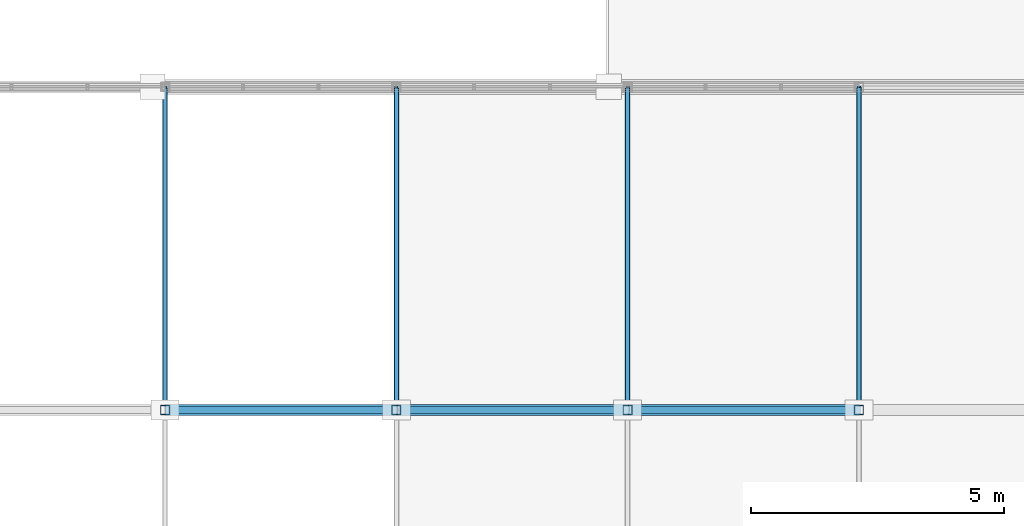
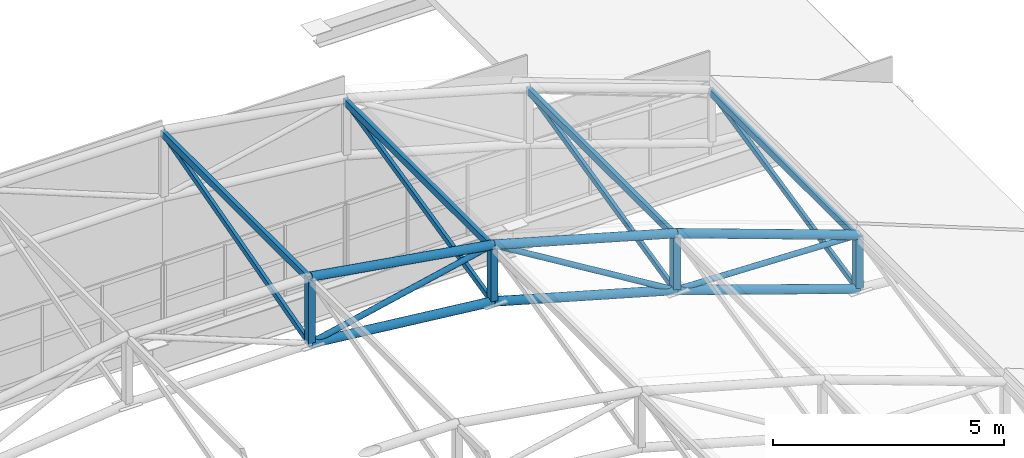
# One storey, part 56 of 101: 21 members.
"""IFC4 building model written with IfcOpenShell, lengths in metres."""

from ifc_helpers import new_model, si_unit, direction, frame, origin, origin_2d, place, context, subcontext, project, spatial, hollow_rectangle, hollow_circle, extrude, material, material_profile, profile_set, type_object, element, save


model = new_model("IFC4")

# Units and contexts
model_context = context("Model", 3, precision=1e-05, world=origin(), true_north=direction((0.0, 1.0)))
body_context = subcontext(model_context, "Body", "Model", "MODEL_VIEW")
ifc_project = project(units=[si_unit("LENGTHUNIT", "METRE"), si_unit("AREAUNIT", "SQUARE_METRE"), si_unit("VOLUMEUNIT", "CUBIC_METRE"), si_unit("PLANEANGLEUNIT", "RADIAN"), si_unit("MASSUNIT", "GRAM", prefix="KILO")], contexts=[model_context])

# Site, building, storey
site_placement = place(None, origin())
site = spatial("IfcSite", under=ifc_project, at=site_placement, CompositionType="ELEMENT")
building_placement = place(site_placement, origin())
building = spatial("IfcBuilding", under=site, at=building_placement, Name="Solvikara Media Centre", CompositionType="ELEMENT")
storey_placement = place(building_placement, frame((0.0, 0.0, 10.199951171875)))
storey = spatial("IfcBuildingStorey", under=building, at=storey_placement, Name="L02", CompositionType="ELEMENT", Elevation=10.199951171875)

# Members
ifc_material = material(Name="Steel S355JR", Category="steel")
ifc_material_profile_1 = material_profile(ifc_material, hollow_circle(Radius=0.109619140625, WallThickness=0.008056640625, at=origin_2d()), Name="CHS 219.1x8")
ifc_profile_set_1 = profile_set([ifc_material_profile_1], Name="Steel S355JR")
member_type_1 = type_object("IfcMemberType", Name="MB-05", PredefinedType="CHORD", material=ifc_profile_set_1)
member_1_placement = place(storey_placement, frame((145.75, 65.625, 5.41015625), z_axis=(0.986711742418, 0.0, -0.162480575373), x_axis=(0.0, 1.0, 0.0)))
element("IfcMember", 1, at=member_1_placement, inside=storey, type_object=member_type_1, Name="BSA-TC-03-04", PredefinedType="CHORD", context=body_context, shape_type="SweptSolid", body=[
    extrude(hollow_circle(Radius=0.109619140625, WallThickness=0.008056640625, at=origin_2d()), origin(), (0.0, 0.0, 1.0), 4.62353515625),
])
member_2_placement = place(storey_placement, frame((145.75, 65.625, 3.650146484375), z_axis=(0.994253057295, 0.0, -0.107055397157), x_axis=(0.0, 1.0, 0.0)))
element("IfcMember", 2, at=member_2_placement, inside=storey, type_object=member_type_1, Name="BSA-BC-03-04", PredefinedType="CHORD", context=body_context, shape_type="SweptSolid", body=[
    extrude(hollow_circle(Radius=0.109619140625, WallThickness=0.008056640625, at=origin_2d()), origin(), (0.0, 0.0, 1.0), 4.58837890625),
])
for number, where, z_axis, x_axis, name in (
    (3, (150.31201171875, 65.625, 4.658935546875), (0.962119975268, 0.0, -0.272626398556), (0.0, 1.0, 0.0), "BSA-TC-03-05"),
    (4, (150.31201171875, 65.625, 3.158935546875), (0.962119975268, 0.0, -0.272626398556), (0.0, 1.0, 0.0), "BSA-BC-03-05"),
):
    element("IfcMember", number, at=place(storey_placement, frame(where, z_axis=z_axis, x_axis=x_axis)), inside=storey, type_object=member_type_1, Name=name, PredefinedType="CHORD", context=body_context, shape_type="SweptSolid", body=[
        extrude(hollow_circle(Radius=0.109619140625, WallThickness=0.008056640625, at=origin_2d()), origin(), (0.0, 0.0, 1.0), 4.74267578125),
    ])
member_3_placement = place(storey_placement, frame((154.875, 65.625, 3.365966796875), z_axis=(0.940941951614, 0.0, -0.338567930691), x_axis=(0.0, 1.0, 0.0)))
element("IfcMember", 5, at=member_3_placement, inside=storey, type_object=member_type_1, Name="BSA-TC-03-06", PredefinedType="CHORD", context=body_context, shape_type="SweptSolid", body=[
    extrude(hollow_circle(Radius=0.109619140625, WallThickness=0.008056640625, at=origin_2d()), origin(), (0.0, 0.0, 1.0), 4.849365234375),
])
member_4_placement = place(storey_placement, frame((154.875, 65.625, 1.865966796875), z_axis=(0.94585275082, 0.0, -0.324596016252), x_axis=(0.0, 1.0, 0.0)))
element("IfcMember", 6, at=member_4_placement, inside=storey, type_object=member_type_1, Name="BSA-BC-03-06", PredefinedType="CHORD", context=body_context, shape_type="SweptSolid", body=[
    extrude(hollow_circle(Radius=0.109619140625, WallThickness=0.008056640625, at=origin_2d()), origin(), (0.0, 0.0, 1.0), 4.82421875),
])
ifc_material_profile_2 = material_profile(ifc_material, hollow_circle(Radius=0.06982421875, WallThickness=0.00634765625, at=origin_2d()), Name="CHS 139.7x6.3")
ifc_profile_set_2 = profile_set([ifc_material_profile_2], Name="Steel S355JR")
member_type_2 = type_object("IfcMemberType", Name="MB-08", PredefinedType="BRACE", material=ifc_profile_set_2)
member_5_placement = place(storey_placement, frame((145.75, 65.625, 3.650146484375), z_axis=(0.976412757167, 0.0, 0.215912314707), x_axis=(0.0, 1.0, 0.0)))
element("IfcMember", 7, at=member_5_placement, inside=storey, type_object=member_type_2, Name="BSA-DG-03-04", PredefinedType="BRACE", context=body_context, shape_type="SweptSolid", body=[
    extrude(hollow_circle(Radius=0.06982421875, WallThickness=0.00634765625, at=origin_2d()), origin(), (0.0, 0.0, 1.0), 4.672119140625),
])
member_6_placement = place(storey_placement, frame((150.31201171875, 65.625, 4.658935546875), z_axis=(0.852909361519, 0.0, -0.522059020641), x_axis=(0.0, 1.0, 0.0)))
element("IfcMember", 8, at=member_6_placement, inside=storey, type_object=member_type_2, Name="BSA-DG-03-05", PredefinedType="BRACE", context=body_context, shape_type="SweptSolid", body=[
    extrude(hollow_circle(Radius=0.06982421875, WallThickness=0.00634765625, at=origin_2d()), origin(), (0.0, 0.0, 1.0), 5.349853515625),
])
member_7_placement = place(storey_placement, frame((154.875, 65.625, 1.865966796875), z_axis=(0.999517175782, 0.0, -0.03107113318), x_axis=(0.0, 1.0, 0.0)))
element("IfcMember", 9, at=member_7_placement, inside=storey, type_object=member_type_2, Name="BSA-DG-03-06", PredefinedType="BRACE", context=body_context, shape_type="SweptSolid", body=[
    extrude(hollow_circle(Radius=0.06982421875, WallThickness=0.00634765625, at=origin_2d()), origin(), (0.0, 0.0, 1.0), 4.565185546875),
])
ifc_material_profile_3 = material_profile(ifc_material, hollow_rectangle(XDim=0.179931640625, YDim=0.179931640625, WallThickness=0.008056640625, at=origin_2d()), Name="RHS 180x180x8")
ifc_profile_set_3 = profile_set([ifc_material_profile_3], Name="Steel S355JR")
member_type_3 = type_object("IfcMemberType", Name="MB-14", PredefinedType="BRACE", material=ifc_profile_set_3)
member_8_placement = place(storey_placement, frame((145.75, 65.625, 3.650146484375), z_axis=(0.0, 0.0, 1.0), x_axis=(1.0, 0.0, 0.0)))
element("IfcMember", 10, at=member_8_placement, inside=storey, type_object=member_type_3, Name="BSA-VT-03-04", PredefinedType="BRACE", context=body_context, shape_type="SweptSolid", body=[
    extrude(hollow_rectangle(XDim=0.179931640625, YDim=0.179931640625, WallThickness=0.008056640625, at=origin_2d()), origin(), (0.0, 0.0, 1.0), 1.760009765625),
])
for number, where, z_axis, x_axis, name in (
    (11, (150.31201171875, 65.625, 3.158935546875), (0.0, 0.0, 1.0), (1.0, 0.0, 0.0), "BSA-VT-03-05"),
    (12, (154.875, 65.625, 1.865966796875), (0.0, 0.0, 1.0), (1.0, 0.0, 0.0), "BSA-VT-03-06"),
):
    element("IfcMember", number, at=place(storey_placement, frame(where, z_axis=z_axis, x_axis=x_axis)), inside=storey, type_object=member_type_3, Name=name, PredefinedType="BRACE", context=body_context, shape_type="SweptSolid", body=[
        extrude(hollow_rectangle(XDim=0.179931640625, YDim=0.179931640625, WallThickness=0.008056640625, at=origin_2d()), origin(), (0.0, 0.0, 1.0), 1.5),
    ])
member_9_placement = place(storey_placement, frame((159.43798828125, 65.625, 0.300048828125), z_axis=(0.0, 0.0, 1.0), x_axis=(1.0, 0.0, 0.0)))
element("IfcMember", 13, at=member_9_placement, inside=storey, type_object=member_type_3, Name="BSA-VT-03-07", PredefinedType="BRACE", context=body_context, shape_type="SweptSolid", body=[
    extrude(hollow_rectangle(XDim=0.179931640625, YDim=0.179931640625, WallThickness=0.008056640625, at=origin_2d()), origin(), (0.0, 0.0, 1.0), 1.424072265625),
])
ifc_material_profile_4 = material_profile(ifc_material, hollow_rectangle(XDim=0.10009765625, YDim=0.179931640625, WallThickness=0.0048828125, at=origin_2d()), Name="RHS 180x100x5")
ifc_profile_set_4 = profile_set([ifc_material_profile_4], Name="Steel S355JR")
member_type_4 = type_object("IfcMemberType", Name="MB-18", PredefinedType="PURLIN", material=ifc_profile_set_4)
for number, where, z_axis, x_axis, name in (
    (14, (145.75, 65.625, 5.344970703125), (0.0, 1.0, 0.0), (-1.0, 0.0, 0.0), "BSA-PRL-03-04"),
    (15, (150.31201171875, 65.625, 4.593994140625), (0.0, 1.0, 0.0), (-1.0, 0.0, 0.0), "BSA-PRL-03-05"),
    (16, (154.875, 65.625, 3.301025390625), (0.0, 1.0, 0.0), (-1.0, 0.0, 0.0), "BSA-PRL-03-06"),
    (17, (159.43798828125, 65.625, 1.658935546875), (0.0, 1.0, 0.0), (-1.0, 0.0, 0.0), "BSA-PRL-03-07"),
):
    element("IfcMember", number, at=place(storey_placement, frame(where, z_axis=z_axis, x_axis=x_axis)), inside=storey, type_object=member_type_4, Name=name, PredefinedType="PURLIN", context=body_context, shape_type="SweptSolid", body=[
        extrude(hollow_rectangle(XDim=0.10009765625, YDim=0.179931640625, WallThickness=0.0048828125, at=origin_2d()), origin(), (0.0, 0.0, 1.0), 6.375),
    ])
ifc_material_profile_5 = material_profile(ifc_material, hollow_rectangle(XDim=0.080078125, YDim=0.14990234375, WallThickness=0.0048828125, at=origin_2d()), Name="RHS 150x80x5")
ifc_profile_set_5 = profile_set([ifc_material_profile_5], Name="Steel S355JR")
member_type_5 = type_object("IfcMemberType", Name="MB-27", PredefinedType="PURLIN", material=ifc_profile_set_5)
member_10_placement = place(storey_placement, frame((145.75, 65.625, 3.650146484375), z_axis=(0.0, 0.965291636359, 0.261174380012), x_axis=(-1.0, 0.0, 0.0)))
element("IfcMember", 18, at=member_10_placement, inside=storey, type_object=member_type_5, Name="BSA-3D-03-04", PredefinedType="PURLIN", context=body_context, shape_type="SweptSolid", body=[
    extrude(hollow_rectangle(XDim=0.080078125, YDim=0.14990234375, WallThickness=0.0048828125, at=origin_2d()), origin(), (0.0, 0.0, 1.0), 6.604248046875),
])
for number, where, z_axis, x_axis, name in (
    (19, (150.31201171875, 65.625, 3.158935546875), (0.0, 0.9745939809, 0.223978955246), (-1.0, 0.0, 0.0), "BSA-3D-03-05"),
    (20, (154.875, 65.625, 1.865966796875), (0.0, 0.9745939809, 0.223978955246), (-1.0, 0.0, 0.0), "BSA-3D-03-06"),
):
    element("IfcMember", number, at=place(storey_placement, frame(where, z_axis=z_axis, x_axis=x_axis)), inside=storey, type_object=member_type_5, Name=name, PredefinedType="PURLIN", context=body_context, shape_type="SweptSolid", body=[
        extrude(hollow_rectangle(XDim=0.080078125, YDim=0.14990234375, WallThickness=0.0048828125, at=origin_2d()), origin(), (0.0, 0.0, 1.0), 6.541259765625),
    ])
member_11_placement = place(storey_placement, frame((159.43798828125, 65.625, 0.300048828125), z_axis=(0.0, 0.977079338098, 0.212875473133), x_axis=(-1.0, 0.0, 0.0)))
element("IfcMember", 21, at=member_11_placement, inside=storey, type_object=member_type_5, Name="BSA-3D-03-07", PredefinedType="PURLIN", context=body_context, shape_type="SweptSolid", body=[
    extrude(hollow_rectangle(XDim=0.080078125, YDim=0.14990234375, WallThickness=0.0048828125, at=origin_2d()), origin(), (0.0, 0.0, 1.0), 6.524658203125),
])

save(model, "model.ifc")
